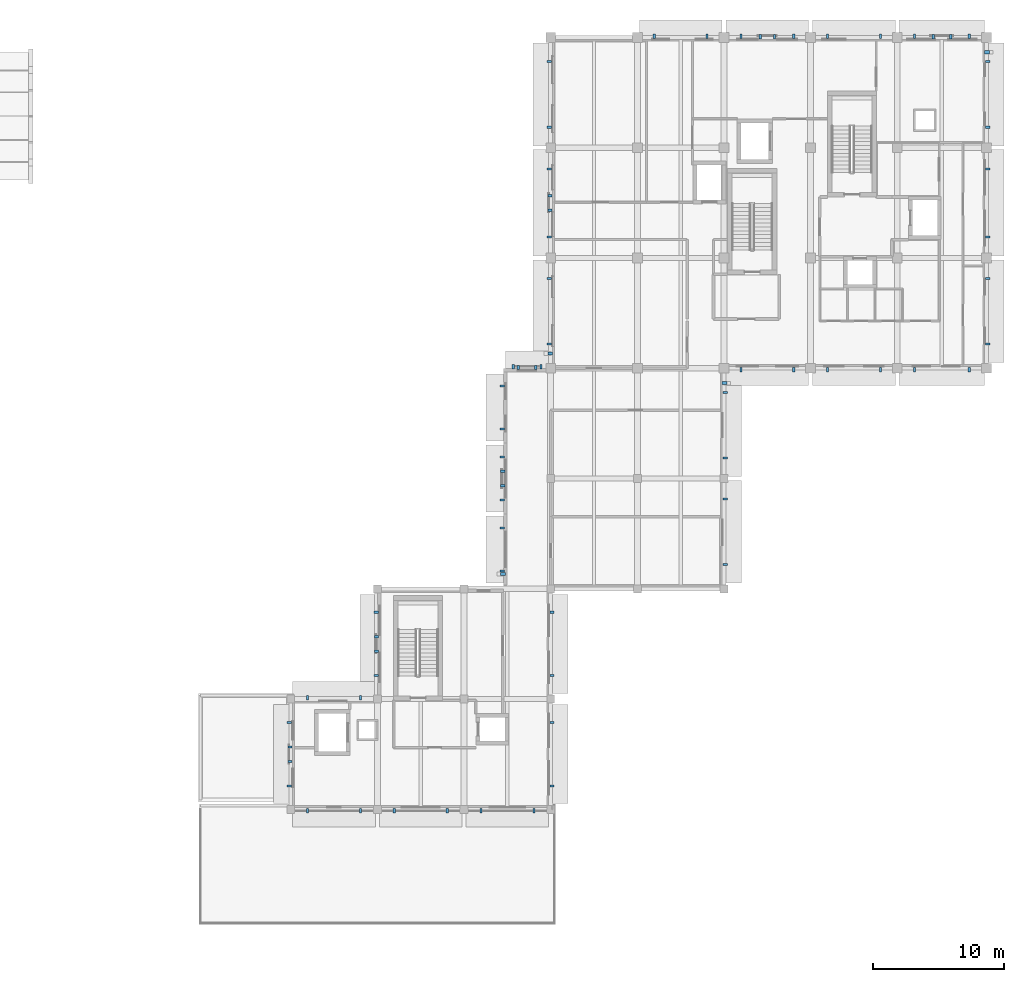
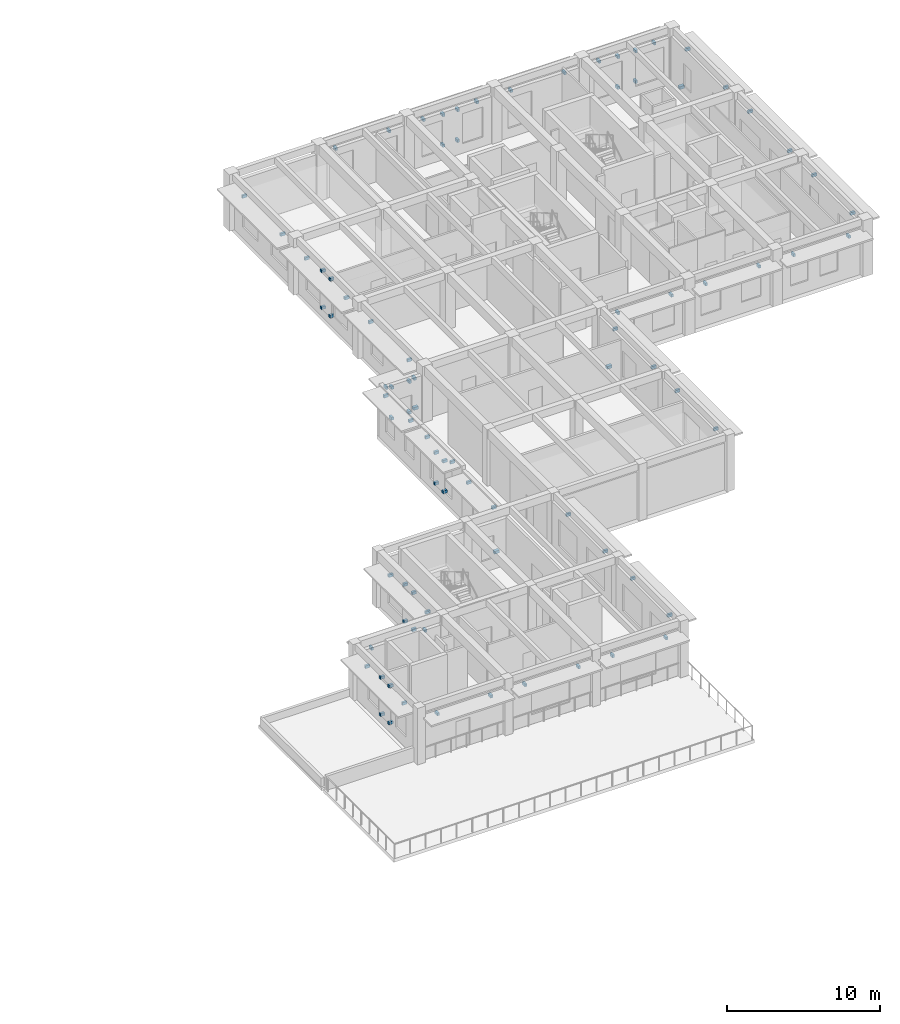
# One storey, part 16 of 20: 86 discrete accessories.
"""IFC4 building model written with IfcOpenShell, lengths in metres."""

from ifc_helpers import new_model, si_unit, direction, frame, origin, origin_2d, place, context, subcontext, project, spatial, rectangle, extrude, material, type_object, element, save


model = new_model("IFC4")

# Units and contexts
model_context = context("Model", 3, precision=1e-05, world=origin(), true_north=direction((0.0, 1.0)))
body_context = subcontext(model_context, "Body", "Model", "MODEL_VIEW")
ifc_project = project(units=[si_unit("LENGTHUNIT", "METRE"), si_unit("AREAUNIT", "SQUARE_METRE"), si_unit("VOLUMEUNIT", "CUBIC_METRE"), si_unit("PLANEANGLEUNIT", "RADIAN"), si_unit("MASSUNIT", "GRAM", prefix="KILO")], contexts=[model_context])

# Site, building, storey
site_placement = place(None, origin())
site = spatial("IfcSite", under=ifc_project, at=site_placement, CompositionType="ELEMENT")
building_placement = place(site_placement, origin())
building = spatial("IfcBuilding", under=site, at=building_placement, Name="Kolvaren Faculty of Natural Sciences", CompositionType="ELEMENT")
storey_placement = place(building_placement, frame((0.0, 0.0, 24.0)))
storey = spatial("IfcBuildingStorey", under=building, at=storey_placement, Name="L05", CompositionType="ELEMENT", Elevation=24.0)

# Discrete accessories
ifc_material = material(Name="Structural steel EN 10025-2 S355J2", Category="steel")
discrete_accessory_type = type_object("IfcDiscreteAccessoryType", Name="FacadeSupportBracket_260", PredefinedType="BRACKET", material=ifc_material)
for number, where, z_axis, x_axis, name in (
    (1, (120.283935546875, 33.89990234375, 3.365234375), (0.0, 0.0, 1.0), (1.0, 0.0, 0.0), "L05 chhajja hood steel bracket"),
    (2, (124.31591796875, 33.89990234375, 3.365234375), (0.0, 0.0, 1.0), (1.0, 0.0, 0.0), "L05 chhajja hood steel bracket"),
    (3, (125.5, 35.587158203125, 3.365234375), (0.0, 0.0, 1.0), (0.0, 1.0, 0.0), "L05 chhajja hood steel bracket"),
    (4, (125.5, 40.412841796875, 3.365234375), (0.0, 0.0, 1.0), (0.0, 1.0, 0.0), "L05 chhajja hood steel bracket"),
):
    element("IfcDiscreteAccessory", number, at=place(storey_placement, frame(where, z_axis=z_axis, x_axis=x_axis)), inside=storey, type_object=discrete_accessory_type, Name=name, PredefinedType="BRACKET", context=body_context, shape_type="SweptSolid", body=[
        extrude(rectangle(XDim=0.159912109375, YDim=0.340087890625, at=origin_2d()), origin(), (0.0, 0.0, 1.0), 0.219970703125),
    ])
for number, where, z_axis, x_axis, name in (
    (5, (125.5400390625, 37.448974609375, 0.81982421875), (0.0, 0.0, 1.0), (0.0, 1.0, 0.0), "L05 jali screen wall bracket"),
    (6, (125.5400390625, 38.551025390625, 0.81982421875), (0.0, 0.0, 1.0), (0.0, 1.0, 0.0), "L05 jali screen wall bracket"),
    (7, (125.5400390625, 37.448974609375, 3.76025390625), (0.0, 0.0, 1.0), (0.0, 1.0, 0.0), "L05 jali screen wall bracket"),
    (8, (125.5400390625, 38.551025390625, 3.76025390625), (0.0, 0.0, 1.0), (0.0, 1.0, 0.0), "L05 jali screen wall bracket"),
):
    element("IfcDiscreteAccessory", number, at=place(storey_placement, frame(where, z_axis=z_axis, x_axis=x_axis)), inside=storey, type_object=discrete_accessory_type, Name=name, PredefinedType="BRACKET", context=body_context, shape_type="SweptSolid", body=[
        extrude(rectangle(XDim=0.179931640625, YDim=0.320068359375, at=origin_2d()), origin(), (0.0, 0.0, 1.0), 0.219970703125),
    ])
discrete_accessory_1_placement = place(storey_placement, frame((135.159912109375, 43.330078125, 0.10986328125), z_axis=(0.0, 0.0, 1.0), x_axis=(0.0, 1.0, 0.0)))
element("IfcDiscreteAccessory", 9, at=discrete_accessory_1_placement, inside=storey, type_object=discrete_accessory_type, Name="L05 facade relief pier anchor bracket 15", PredefinedType="BRACKET", context=body_context, shape_type="SweptSolid", body=[
    extrude(rectangle(XDim=0.239990234375, YDim=0.360107421875, at=origin_2d()), origin(), (0.0, 0.0, 1.0), 0.219970703125),
])
for number, where, z_axis, x_axis, name in (
    (10, (135.10009765625, 43.55029296875, 3.51513671875), (0.0, 0.0, 1.0), (0.0, 1.0, 0.0), "L05 chhajja hood steel bracket"),
    (11, (135.10009765625, 46.822998046875, 3.51513671875), (0.0, 0.0, 1.0), (0.0, 1.0, 0.0), "L05 chhajja hood steel bracket"),
    (12, (135.10009765625, 48.963623046875, 3.85009765625), (0.0, 0.0, 1.0), (0.0, 1.0, 0.0), "L05 chhajja hood steel bracket"),
    (13, (135.10009765625, 52.236328125, 3.85009765625), (0.0, 0.0, 1.0), (0.0, 1.0, 0.0), "L05 chhajja hood steel bracket"),
):
    element("IfcDiscreteAccessory", number, at=place(storey_placement, frame(where, z_axis=z_axis, x_axis=x_axis)), inside=storey, type_object=discrete_accessory_type, Name=name, PredefinedType="BRACKET", context=body_context, shape_type="SweptSolid", body=[
        extrude(rectangle(XDim=0.159912109375, YDim=0.340087890625, at=origin_2d()), origin(), (0.0, 0.0, 1.0), 0.219970703125),
    ])
for number, where, z_axis, x_axis, name in (
    (14, (135.139892578125, 50.049072265625, 0.81982421875), (0.0, 0.0, 1.0), (0.0, 1.0, 0.0), "L05 jali screen wall bracket"),
    (15, (135.139892578125, 51.15087890625, 0.81982421875), (0.0, 0.0, 1.0), (0.0, 1.0, 0.0), "L05 jali screen wall bracket"),
    (16, (135.139892578125, 50.049072265625, 3.26025390625), (0.0, 0.0, 1.0), (0.0, 1.0, 0.0), "L05 jali screen wall bracket"),
    (17, (135.139892578125, 51.15087890625, 3.26025390625), (0.0, 0.0, 1.0), (0.0, 1.0, 0.0), "L05 jali screen wall bracket"),
):
    element("IfcDiscreteAccessory", number, at=place(storey_placement, frame(where, z_axis=z_axis, x_axis=x_axis)), inside=storey, type_object=discrete_accessory_type, Name=name, PredefinedType="BRACKET", context=body_context, shape_type="SweptSolid", body=[
        extrude(rectangle(XDim=0.179931640625, YDim=0.320068359375, at=origin_2d()), origin(), (0.0, 0.0, 1.0), 0.219970703125),
    ])
for number, where, z_axis, x_axis, name in (
    (18, (135.10009765625, 54.377197265625, 3.85009765625), (0.0, 0.0, 1.0), (0.0, 1.0, 0.0), "L05 chhajja hood steel bracket"),
    (19, (135.10009765625, 57.649658203125, 3.85009765625), (0.0, 0.0, 1.0), (0.0, 1.0, 0.0), "L05 chhajja hood steel bracket"),
    (20, (135.944091796875, 59.10009765625, 3.365234375), (0.0, 0.0, 1.0), (1.0, 0.0, 0.0), "L05 chhajja hood steel bracket"),
    (21, (138.055908203125, 59.10009765625, 3.365234375), (0.0, 0.0, 1.0), (1.0, 0.0, 0.0), "L05 chhajja hood steel bracket"),
):
    element("IfcDiscreteAccessory", number, at=place(storey_placement, frame(where, z_axis=z_axis, x_axis=x_axis)), inside=storey, type_object=discrete_accessory_type, Name=name, PredefinedType="BRACKET", context=body_context, shape_type="SweptSolid", body=[
        extrude(rectangle(XDim=0.159912109375, YDim=0.340087890625, at=origin_2d()), origin(), (0.0, 0.0, 1.0), 0.219970703125),
    ])
for number, where, z_axis, x_axis, name in (
    (22, (136.3349609375, 59.06005859375, 0.81982421875), (0.0, 0.0, 1.0), (1.0, 0.0, 0.0), "L05 jali screen wall bracket"),
    (23, (137.6650390625, 59.06005859375, 0.81982421875), (0.0, 0.0, 1.0), (1.0, 0.0, 0.0), "L05 jali screen wall bracket"),
    (24, (136.3349609375, 59.06005859375, 3.26025390625), (0.0, 0.0, 1.0), (1.0, 0.0, 0.0), "L05 jali screen wall bracket"),
    (25, (137.6650390625, 59.06005859375, 3.26025390625), (0.0, 0.0, 1.0), (1.0, 0.0, 0.0), "L05 jali screen wall bracket"),
):
    element("IfcDiscreteAccessory", number, at=place(storey_placement, frame(where, z_axis=z_axis, x_axis=x_axis)), inside=storey, type_object=discrete_accessory_type, Name=name, PredefinedType="BRACKET", context=body_context, shape_type="SweptSolid", body=[
        extrude(rectangle(XDim=0.179931640625, YDim=0.320068359375, at=origin_2d()), origin(), (0.0, 0.0, 1.0), 0.219970703125),
    ])
discrete_accessory_2_placement = place(storey_placement, frame((138.760009765625, 60.1298828125, 0.10986328125), z_axis=(0.0, 0.0, 1.0), x_axis=(0.0, 1.0, 0.0)))
element("IfcDiscreteAccessory", 26, at=discrete_accessory_2_placement, inside=storey, type_object=discrete_accessory_type, Name="L05 facade relief pier anchor bracket 16", PredefinedType="BRACKET", context=body_context, shape_type="SweptSolid", body=[
    extrude(rectangle(XDim=0.239990234375, YDim=0.360107421875, at=origin_2d()), origin(), (0.0, 0.0, 1.0), 0.219970703125),
])
for number, where, z_axis, x_axis, name in (
    (27, (138.699951171875, 60.837646484375, 3.51513671875), (0.0, 0.0, 1.0), (0.0, 1.0, 0.0), "L05 chhajja hood steel bracket"),
    (28, (138.699951171875, 65.84228515625, 3.51513671875), (0.0, 0.0, 1.0), (0.0, 1.0, 0.0), "L05 chhajja hood steel bracket"),
    (29, (138.699951171875, 69.008056640625, 3.51513671875), (0.0, 0.0, 1.0), (0.0, 1.0, 0.0), "L05 chhajja hood steel bracket"),
    (30, (138.699951171875, 74.19189453125, 3.51513671875), (0.0, 0.0, 1.0), (0.0, 1.0, 0.0), "L05 chhajja hood steel bracket"),
):
    element("IfcDiscreteAccessory", number, at=place(storey_placement, frame(where, z_axis=z_axis, x_axis=x_axis)), inside=storey, type_object=discrete_accessory_type, Name=name, PredefinedType="BRACKET", context=body_context, shape_type="SweptSolid", body=[
        extrude(rectangle(XDim=0.159912109375, YDim=0.340087890625, at=origin_2d()), origin(), (0.0, 0.0, 1.0), 0.219970703125),
    ])
for number, where, z_axis, x_axis, name in (
    (31, (138.739990234375, 71.049072265625, 0.81982421875), (0.0, 0.0, 1.0), (0.0, 1.0, 0.0), "L05 jali screen wall bracket"),
    (32, (138.739990234375, 72.15087890625, 0.81982421875), (0.0, 0.0, 1.0), (0.0, 1.0, 0.0), "L05 jali screen wall bracket"),
    (33, (138.739990234375, 71.049072265625, 3.76025390625), (0.0, 0.0, 1.0), (0.0, 1.0, 0.0), "L05 jali screen wall bracket"),
    (34, (138.739990234375, 72.15087890625, 3.76025390625), (0.0, 0.0, 1.0), (0.0, 1.0, 0.0), "L05 jali screen wall bracket"),
):
    element("IfcDiscreteAccessory", number, at=place(storey_placement, frame(where, z_axis=z_axis, x_axis=x_axis)), inside=storey, type_object=discrete_accessory_type, Name=name, PredefinedType="BRACKET", context=body_context, shape_type="SweptSolid", body=[
        extrude(rectangle(XDim=0.179931640625, YDim=0.320068359375, at=origin_2d()), origin(), (0.0, 0.0, 1.0), 0.219970703125),
    ])
for number, where, z_axis, x_axis, name in (
    (35, (138.699951171875, 77.357666015625, 3.51513671875), (0.0, 0.0, 1.0), (0.0, 1.0, 0.0), "L05 chhajja hood steel bracket"),
    (36, (138.699951171875, 82.3623046875, 3.51513671875), (0.0, 0.0, 1.0), (0.0, 1.0, 0.0), "L05 chhajja hood steel bracket"),
    (37, (146.68408203125, 84.300048828125, 3.365234375), (0.0, 0.0, 1.0), (1.0, 0.0, 0.0), "L05 chhajja hood steel bracket"),
    (38, (150.716064453125, 84.300048828125, 3.365234375), (0.0, 0.0, 1.0), (1.0, 0.0, 0.0), "L05 chhajja hood steel bracket"),
    (39, (153.283935546875, 84.300048828125, 3.365234375), (0.0, 0.0, 1.0), (1.0, 0.0, 0.0), "L05 chhajja hood steel bracket"),
    (40, (157.31591796875, 84.300048828125, 3.365234375), (0.0, 0.0, 1.0), (1.0, 0.0, 0.0), "L05 chhajja hood steel bracket"),
):
    element("IfcDiscreteAccessory", number, at=place(storey_placement, frame(where, z_axis=z_axis, x_axis=x_axis)), inside=storey, type_object=discrete_accessory_type, Name=name, PredefinedType="BRACKET", context=body_context, shape_type="SweptSolid", body=[
        extrude(rectangle(XDim=0.159912109375, YDim=0.340087890625, at=origin_2d()), origin(), (0.0, 0.0, 1.0), 0.219970703125),
    ])
for number, where, z_axis, x_axis, name in (
    (41, (154.7490234375, 84.260009765625, 0.81982421875), (0.0, 0.0, 1.0), (1.0, 0.0, 0.0), "L05 jali screen wall bracket"),
    (42, (155.85107421875, 84.260009765625, 0.81982421875), (0.0, 0.0, 1.0), (1.0, 0.0, 0.0), "L05 jali screen wall bracket"),
    (43, (154.7490234375, 84.260009765625, 3.26025390625), (0.0, 0.0, 1.0), (1.0, 0.0, 0.0), "L05 jali screen wall bracket"),
    (44, (155.85107421875, 84.260009765625, 3.26025390625), (0.0, 0.0, 1.0), (1.0, 0.0, 0.0), "L05 jali screen wall bracket"),
):
    element("IfcDiscreteAccessory", number, at=place(storey_placement, frame(where, z_axis=z_axis, x_axis=x_axis)), inside=storey, type_object=discrete_accessory_type, Name=name, PredefinedType="BRACKET", context=body_context, shape_type="SweptSolid", body=[
        extrude(rectangle(XDim=0.179931640625, YDim=0.320068359375, at=origin_2d()), origin(), (0.0, 0.0, 1.0), 0.219970703125),
    ])
for number, where, z_axis, x_axis, name in (
    (45, (159.884033203125, 84.300048828125, 3.365234375), (0.0, 0.0, 1.0), (1.0, 0.0, 0.0), "L05 chhajja hood steel bracket"),
    (46, (163.916015625, 84.300048828125, 3.365234375), (0.0, 0.0, 1.0), (1.0, 0.0, 0.0), "L05 chhajja hood steel bracket"),
    (47, (166.52001953125, 84.300048828125, 3.365234375), (0.0, 0.0, 1.0), (1.0, 0.0, 0.0), "L05 chhajja hood steel bracket"),
    (48, (170.679931640625, 84.300048828125, 3.365234375), (0.0, 0.0, 1.0), (1.0, 0.0, 0.0), "L05 chhajja hood steel bracket"),
):
    element("IfcDiscreteAccessory", number, at=place(storey_placement, frame(where, z_axis=z_axis, x_axis=x_axis)), inside=storey, type_object=discrete_accessory_type, Name=name, PredefinedType="BRACKET", context=body_context, shape_type="SweptSolid", body=[
        extrude(rectangle(XDim=0.159912109375, YDim=0.340087890625, at=origin_2d()), origin(), (0.0, 0.0, 1.0), 0.219970703125),
    ])
for number, where, z_axis, x_axis, name in (
    (49, (167.93505859375, 84.260009765625, 0.81982421875), (0.0, 0.0, 1.0), (1.0, 0.0, 0.0), "L05 jali screen wall bracket"),
    (50, (169.264892578125, 84.260009765625, 0.81982421875), (0.0, 0.0, 1.0), (1.0, 0.0, 0.0), "L05 jali screen wall bracket"),
    (51, (167.93505859375, 84.260009765625, 3.26025390625), (0.0, 0.0, 1.0), (1.0, 0.0, 0.0), "L05 jali screen wall bracket"),
    (52, (169.264892578125, 84.260009765625, 3.26025390625), (0.0, 0.0, 1.0), (1.0, 0.0, 0.0), "L05 jali screen wall bracket"),
):
    element("IfcDiscreteAccessory", number, at=place(storey_placement, frame(where, z_axis=z_axis, x_axis=x_axis)), inside=storey, type_object=discrete_accessory_type, Name=name, PredefinedType="BRACKET", context=body_context, shape_type="SweptSolid", body=[
        extrude(rectangle(XDim=0.179931640625, YDim=0.320068359375, at=origin_2d()), origin(), (0.0, 0.0, 1.0), 0.219970703125),
    ])
discrete_accessory_3_placement = place(storey_placement, frame((172.0400390625, 83.070068359375, 0.10986328125), z_axis=(0.0, 0.0, 1.0), x_axis=(0.0, -1.0, 0.0)))
element("IfcDiscreteAccessory", 53, at=discrete_accessory_3_placement, inside=storey, type_object=discrete_accessory_type, Name="L05 facade relief pier anchor bracket 17", PredefinedType="BRACKET", context=body_context, shape_type="SweptSolid", body=[
    extrude(rectangle(XDim=0.239990234375, YDim=0.360107421875, at=origin_2d()), origin(), (0.0, 0.0, 1.0), 0.219970703125),
])
for number, where, z_axis, x_axis, name in (
    (54, (172.10009765625, 82.3623046875, 3.51513671875), (0.0, 0.0, 1.0), (0.0, -1.0, 0.0), "L05 chhajja hood steel bracket"),
    (55, (172.10009765625, 77.357666015625, 3.51513671875), (0.0, 0.0, 1.0), (0.0, -1.0, 0.0), "L05 chhajja hood steel bracket"),
    (56, (172.10009765625, 74.19189453125, 3.51513671875), (0.0, 0.0, 1.0), (0.0, -1.0, 0.0), "L05 chhajja hood steel bracket"),
    (57, (172.10009765625, 69.008056640625, 3.51513671875), (0.0, 0.0, 1.0), (0.0, -1.0, 0.0), "L05 chhajja hood steel bracket"),
    (58, (172.10009765625, 65.84228515625, 3.51513671875), (0.0, 0.0, 1.0), (0.0, -1.0, 0.0), "L05 chhajja hood steel bracket"),
    (59, (172.10009765625, 60.837646484375, 3.51513671875), (0.0, 0.0, 1.0), (0.0, -1.0, 0.0), "L05 chhajja hood steel bracket"),
    (60, (170.679931640625, 58.89990234375, 3.365234375), (0.0, 0.0, 1.0), (-1.0, 0.0, 0.0), "L05 chhajja hood steel bracket"),
    (61, (166.52001953125, 58.89990234375, 3.365234375), (0.0, 0.0, 1.0), (-1.0, 0.0, 0.0), "L05 chhajja hood steel bracket"),
    (62, (163.916015625, 58.89990234375, 3.365234375), (0.0, 0.0, 1.0), (-1.0, 0.0, 0.0), "L05 chhajja hood steel bracket"),
    (63, (159.884033203125, 58.89990234375, 3.365234375), (0.0, 0.0, 1.0), (-1.0, 0.0, 0.0), "L05 chhajja hood steel bracket"),
    (64, (157.31591796875, 58.89990234375, 3.365234375), (0.0, 0.0, 1.0), (-1.0, 0.0, 0.0), "L05 chhajja hood steel bracket"),
    (65, (153.283935546875, 58.89990234375, 3.365234375), (0.0, 0.0, 1.0), (-1.0, 0.0, 0.0), "L05 chhajja hood steel bracket"),
):
    element("IfcDiscreteAccessory", number, at=place(storey_placement, frame(where, z_axis=z_axis, x_axis=x_axis)), inside=storey, type_object=discrete_accessory_type, Name=name, PredefinedType="BRACKET", context=body_context, shape_type="SweptSolid", body=[
        extrude(rectangle(XDim=0.159912109375, YDim=0.340087890625, at=origin_2d()), origin(), (0.0, 0.0, 1.0), 0.219970703125),
    ])
discrete_accessory_4_placement = place(storey_placement, frame((152.0400390625, 57.8701171875, 0.10986328125), z_axis=(0.0, 0.0, 1.0), x_axis=(0.0, -1.0, 0.0)))
element("IfcDiscreteAccessory", 66, at=discrete_accessory_4_placement, inside=storey, type_object=discrete_accessory_type, Name="L05 facade relief pier anchor bracket 18", PredefinedType="BRACKET", context=body_context, shape_type="SweptSolid", body=[
    extrude(rectangle(XDim=0.239990234375, YDim=0.360107421875, at=origin_2d()), origin(), (0.0, 0.0, 1.0), 0.219970703125),
])
for number, where, z_axis, x_axis, name in (
    (67, (152.10009765625, 57.162353515625, 3.51513671875), (0.0, 0.0, 1.0), (0.0, -1.0, 0.0), "L05 chhajja hood steel bracket"),
    (68, (152.10009765625, 52.15771484375, 3.51513671875), (0.0, 0.0, 1.0), (0.0, -1.0, 0.0), "L05 chhajja hood steel bracket"),
    (69, (152.10009765625, 49.04248046875, 3.51513671875), (0.0, 0.0, 1.0), (0.0, -1.0, 0.0), "L05 chhajja hood steel bracket"),
    (70, (152.10009765625, 44.03759765625, 3.51513671875), (0.0, 0.0, 1.0), (0.0, -1.0, 0.0), "L05 chhajja hood steel bracket"),
    (71, (138.89990234375, 40.412841796875, 3.51513671875), (0.0, 0.0, 1.0), (0.0, -1.0, 0.0), "L05 chhajja hood steel bracket"),
    (72, (138.89990234375, 35.587158203125, 3.51513671875), (0.0, 0.0, 1.0), (0.0, -1.0, 0.0), "L05 chhajja hood steel bracket"),
    (73, (138.89990234375, 32.0126953125, 3.51513671875), (0.0, 0.0, 1.0), (0.0, -1.0, 0.0), "L05 chhajja hood steel bracket"),
    (74, (138.89990234375, 27.187255859375, 3.51513671875), (0.0, 0.0, 1.0), (0.0, -1.0, 0.0), "L05 chhajja hood steel bracket"),
    (75, (137.51611328125, 25.300048828125, 3.365234375), (0.0, 0.0, 1.0), (-1.0, 0.0, 0.0), "L05 chhajja hood steel bracket"),
    (76, (133.48388671875, 25.300048828125, 3.365234375), (0.0, 0.0, 1.0), (-1.0, 0.0, 0.0), "L05 chhajja hood steel bracket"),
    (77, (130.916015625, 25.300048828125, 3.365234375), (0.0, 0.0, 1.0), (-1.0, 0.0, 0.0), "L05 chhajja hood steel bracket"),
    (78, (126.884033203125, 25.300048828125, 3.365234375), (0.0, 0.0, 1.0), (-1.0, 0.0, 0.0), "L05 chhajja hood steel bracket"),
    (79, (124.31591796875, 25.300048828125, 3.365234375), (0.0, 0.0, 1.0), (-1.0, 0.0, 0.0), "L05 chhajja hood steel bracket"),
    (80, (120.283935546875, 25.300048828125, 3.365234375), (0.0, 0.0, 1.0), (-1.0, 0.0, 0.0), "L05 chhajja hood steel bracket"),
    (81, (118.89990234375, 27.187255859375, 3.51513671875), (0.0, 0.0, 1.0), (0.0, 1.0, 0.0), "L05 chhajja hood steel bracket"),
    (82, (118.89990234375, 32.0126953125, 3.51513671875), (0.0, 0.0, 1.0), (0.0, 1.0, 0.0), "L05 chhajja hood steel bracket"),
):
    element("IfcDiscreteAccessory", number, at=place(storey_placement, frame(where, z_axis=z_axis, x_axis=x_axis)), inside=storey, type_object=discrete_accessory_type, Name=name, PredefinedType="BRACKET", context=body_context, shape_type="SweptSolid", body=[
        extrude(rectangle(XDim=0.159912109375, YDim=0.340087890625, at=origin_2d()), origin(), (0.0, 0.0, 1.0), 0.219970703125),
    ])
for number, where, z_axis, x_axis, name in (
    (83, (118.93994140625, 29.049072265625, 0.81982421875), (0.0, 0.0, 1.0), (0.0, 1.0, 0.0), "L05 jali screen wall bracket"),
    (84, (118.93994140625, 30.15087890625, 0.81982421875), (0.0, 0.0, 1.0), (0.0, 1.0, 0.0), "L05 jali screen wall bracket"),
    (85, (118.93994140625, 29.049072265625, 3.76025390625), (0.0, 0.0, 1.0), (0.0, 1.0, 0.0), "L05 jali screen wall bracket"),
    (86, (118.93994140625, 30.15087890625, 3.76025390625), (0.0, 0.0, 1.0), (0.0, 1.0, 0.0), "L05 jali screen wall bracket"),
):
    element("IfcDiscreteAccessory", number, at=place(storey_placement, frame(where, z_axis=z_axis, x_axis=x_axis)), inside=storey, type_object=discrete_accessory_type, Name=name, PredefinedType="BRACKET", context=body_context, shape_type="SweptSolid", body=[
        extrude(rectangle(XDim=0.179931640625, YDim=0.320068359375, at=origin_2d()), origin(), (0.0, 0.0, 1.0), 0.219970703125),
    ])

save(model, "model.ifc")
